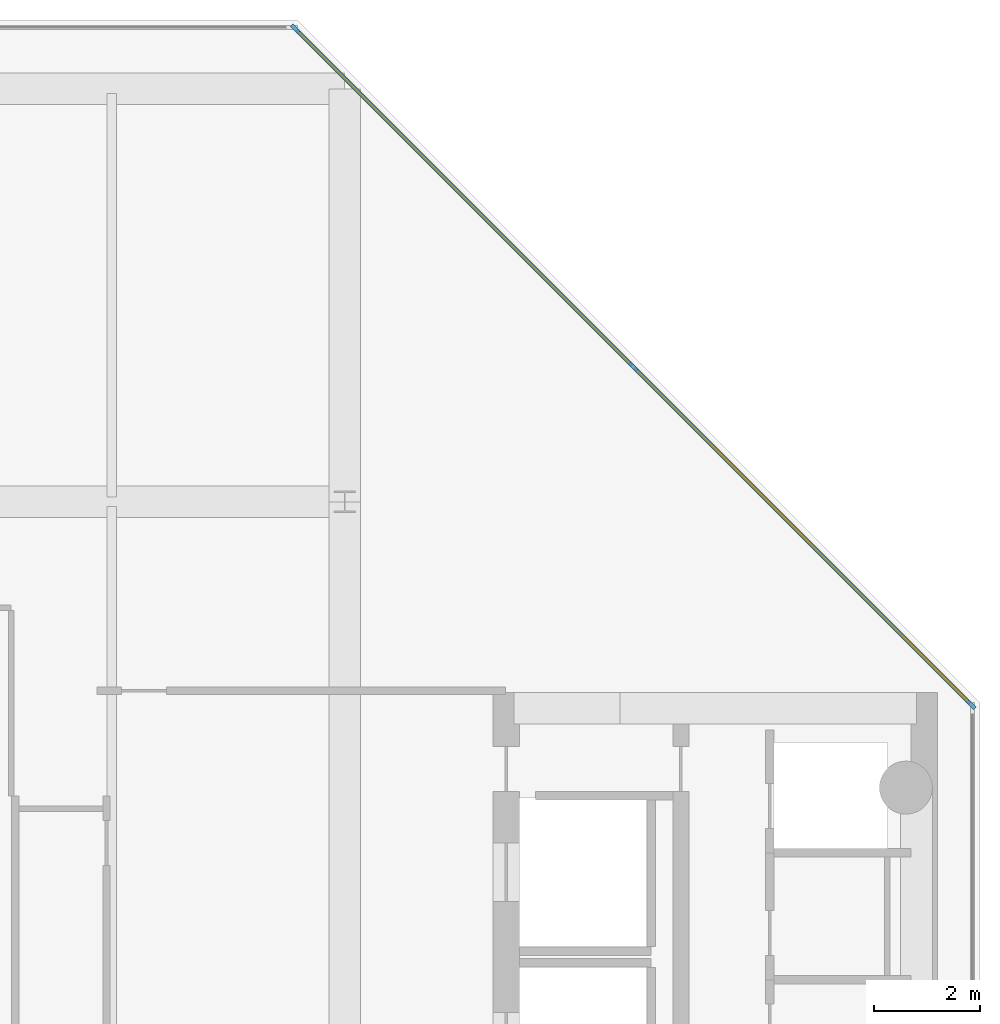
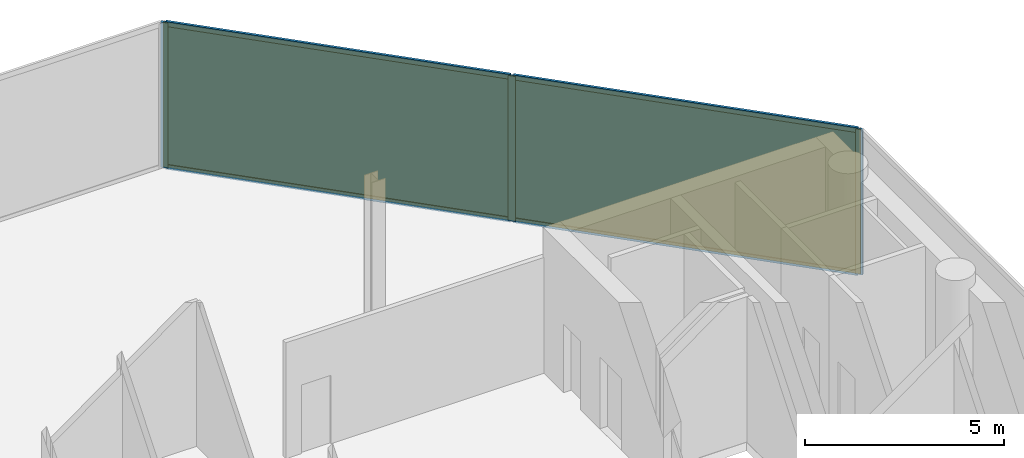
# One storey, part 10 of 14: 7 members, 2 plates, 1 curtain wall.
"""IFC4 building model written with IfcOpenShell, lengths in metres."""

from ifc_helpers import new_model, si_unit, direction, frame, frame_2d, origin, origin_2d, place, context, subcontext, project, spatial, rectangle, extrude, material, layer, layer_set, material_profile, profile_set, type_object, element, aggregate, save


model = new_model("IFC4")

# Units and contexts
model_context = context("Model", 3, precision=1e-05, world=origin(), true_north=direction((0.0, 1.0)))
body_context = subcontext(model_context, "Body", "Model", "MODEL_VIEW")
ifc_project = project(units=[si_unit("LENGTHUNIT", "METRE"), si_unit("AREAUNIT", "SQUARE_METRE"), si_unit("VOLUMEUNIT", "CUBIC_METRE"), si_unit("PLANEANGLEUNIT", "RADIAN"), si_unit("MASSUNIT", "GRAM", prefix="KILO")], contexts=[model_context])

# Member
ifc_material_1 = material(Name="Anodised Bronze Aluminium 6063-T6", Category="aluminium")
ifc_material_profile_1 = material_profile(ifc_material_1, rectangle(XDim=0.070068359375, YDim=0.18994140625, at=origin_2d()))
ifc_profile_set_1 = profile_set([ifc_material_profile_1], Name="Anodised Bronze Aluminium 6063-T6")
member_type_1 = type_object("IfcMemberType", Name="CW-SLC Mullion 70x190", PredefinedType="MULLION", material=ifc_profile_set_1)
site_placement = place(None, origin())
building_placement = place(site_placement, origin())
storey_placement = place(building_placement, frame((0.0, 0.0, 320.39990234375)))
member_1_placement = place(storey_placement, frame((8.266845703125, 19.7353515625, 0.0), z_axis=(0.0, 0.0, 1.0), x_axis=(0.707106781187, 0.707106781187, 0.0)))
member_1 = element("IfcMember", 1, at=member_1_placement, type_object=member_type_1, Name="CW-SLC mullion 1", PredefinedType="MULLION", context=body_context, shape_type="SweptSolid", body=[
    extrude(rectangle(XDim=0.070068359375, YDim=0.18994140625, at=origin_2d()), origin(), (0.0, 0.0, 1.0), 4.4501953125),
])

member_2_placement = place(storey_placement, frame((14.65087890625, 13.35107421875, 0.0), z_axis=(0.0, 0.0, 1.0), x_axis=(0.707106781187, 0.707106781187, 0.0)))
member_2 = element("IfcMember", 2, at=member_2_placement, type_object=member_type_1, Name="CW-SLC mullion 2", PredefinedType="MULLION", context=body_context, shape_type="SweptSolid", body=[
    extrude(rectangle(XDim=0.070068359375, YDim=0.18994140625, at=origin_2d()), origin(), (0.0, 0.0, 1.0), 4.4501953125),
])

member_3_placement = place(storey_placement, frame((21.03515625, 6.966796875, 0.0), z_axis=(0.0, 0.0, 1.0), x_axis=(0.707106781187, 0.707106781187, 0.0)))
member_3 = element("IfcMember", 3, at=member_3_placement, type_object=member_type_1, Name="CW-SLC mullion 3", PredefinedType="MULLION", context=body_context, shape_type="SweptSolid", body=[
    extrude(rectangle(XDim=0.070068359375, YDim=0.18994140625, at=origin_2d()), origin(), (0.0, 0.0, 1.0), 4.4501953125),
])

ifc_material_2 = material(Name="Anodised Bronze Aluminium 6063-T6", Category="aluminium")
ifc_material_profile_2 = material_profile(ifc_material_2, rectangle(XDim=0.070068359375, YDim=0.14990234375, at=origin_2d()))
ifc_profile_set_2 = profile_set([ifc_material_profile_2], Name="Anodised Bronze Aluminium 6063-T6")
member_type_2 = type_object("IfcMemberType", Name="CW-SLC Transom 70x150", PredefinedType="USERDEFINED", material=ifc_profile_set_2)
member_4_placement = place(storey_placement, frame((8.29150390625, 19.71044921875, 0.03515625), z_axis=(0.707106781187, -0.707106781187, 0.0), x_axis=(0.707106781187, 0.707106781187, 0.0)))
member_4 = element("IfcMember", 4, at=member_4_placement, type_object=member_type_2, Name="CW-SLC transom 1.1", ObjectType="TRANSOM", PredefinedType="USERDEFINED", context=body_context, shape_type="SweptSolid", body=[
    extrude(rectangle(XDim=0.070068359375, YDim=0.14990234375, at=origin_2d()), origin(), (0.0, 0.0, 1.0), 8.958740234375),
])

member_5_placement = place(storey_placement, frame((8.29150390625, 19.71044921875, 4.4150390625), z_axis=(0.707106781187, -0.707106781187, 0.0), x_axis=(0.707106781187, 0.707106781187, 0.0)))
member_5 = element("IfcMember", 5, at=member_5_placement, type_object=member_type_2, Name="CW-SLC transom 1.2", ObjectType="TRANSOM", PredefinedType="USERDEFINED", context=body_context, shape_type="SweptSolid", body=[
    extrude(rectangle(XDim=0.070068359375, YDim=0.14990234375, at=origin_2d()), origin(), (0.0, 0.0, 1.0), 8.958740234375),
])

member_6_placement = place(storey_placement, frame((14.67578125, 13.326171875, 0.03515625), z_axis=(0.707106781187, -0.707106781187, 0.0), x_axis=(0.707106781187, 0.707106781187, 0.0)))
member_6 = element("IfcMember", 6, at=member_6_placement, type_object=member_type_2, Name="CW-SLC transom 2.1", ObjectType="TRANSOM", PredefinedType="USERDEFINED", context=body_context, shape_type="SweptSolid", body=[
    extrude(rectangle(XDim=0.070068359375, YDim=0.14990234375, at=origin_2d()), origin(), (0.0, 0.0, 1.0), 8.958740234375),
])

member_7_placement = place(storey_placement, frame((14.67578125, 13.326171875, 4.4150390625), z_axis=(0.707106781187, -0.707106781187, 0.0), x_axis=(0.707106781187, 0.707106781187, 0.0)))
member_7 = element("IfcMember", 7, at=member_7_placement, type_object=member_type_2, Name="CW-SLC transom 2.2", ObjectType="TRANSOM", PredefinedType="USERDEFINED", context=body_context, shape_type="SweptSolid", body=[
    extrude(rectangle(XDim=0.070068359375, YDim=0.14990234375, at=origin_2d()), origin(), (0.0, 0.0, 1.0), 8.958740234375),
])

# Plate
ifc_material_3 = material(Name="Low-E Solar Control Laminated Glass", Category="glass")
ifc_layer_1 = layer(ifc_material_3, 0.033935546875, Name="Low-E Solar Control Laminated Glass")
ifc_layer_set_1 = layer_set([ifc_layer_1], Name="Low-E Solar Control Laminated Glass")
plate_type = type_object("IfcPlateType", Name="CW-SLC Low-E Double Glazed Panel 34mm", PredefinedType="CURTAIN_PANEL", material=ifc_layer_set_1)
plate_1_placement = place(storey_placement, frame((11.458984375, 16.543212890625, 0.070068359375), z_axis=(0.0, 0.0, 1.0), x_axis=(0.707106781187, -0.707106781187, 0.0)))
plate_1 = element("IfcPlate", 8, at=plate_1_placement, type_object=plate_type, Name="CW-SLC panel 1.1", PredefinedType="CURTAIN_PANEL", context=body_context, shape_type="SweptSolid", body=[
    extrude(rectangle(XDim=8.958740234375, YDim=0.033935546875, at=origin_2d()), origin(), (0.0, 0.0, 1.0), 4.31005859375),
])

plate_2_placement = place(storey_placement, frame((17.843017578125, 10.158935546875, 0.070068359375), z_axis=(0.0, 0.0, 1.0), x_axis=(0.707106781187, -0.707106781187, 0.0)))
plate_2 = element("IfcPlate", 9, at=plate_2_placement, type_object=plate_type, Name="CW-SLC panel 2.1", PredefinedType="CURTAIN_PANEL", context=body_context, shape_type="SweptSolid", body=[
    extrude(rectangle(XDim=8.958740234375, YDim=0.033935546875, at=origin_2d()), origin(), (0.0, 0.0, 1.0), 4.31005859375),
])

# Site, building, storey
site = spatial("IfcSite", under=ifc_project, at=site_placement, CompositionType="ELEMENT")
building = spatial("IfcBuilding", under=site, at=building_placement, Name="Khairoan Windgate Tower", CompositionType="ELEMENT")
storey = spatial("IfcBuildingStorey", under=building, at=storey_placement, Name="L77", CompositionType="ELEMENT", Elevation=320.39990234375)

# Curtain wall
ifc_material_4 = material(Name="Anodised Bronze Aluminium 6063-T6", Category="aluminium")
ifc_layer_2 = layer(ifc_material_4, 0.18994140625, Name="Anodised Bronze Aluminium 6063-T6")
ifc_layer_set_2 = layer_set([ifc_layer_2], Name="Anodised Bronze Aluminium 6063-T6")
curtain_wall_type = type_object("IfcCurtainWallType", Name="Diagonal Corner-Slice Facet Curtain Wall CW-SLC", PredefinedType="NOTDEFINED", material=ifc_layer_set_2)
curtain_wall_placement = place(storey_placement, frame((8.241943359375, 19.760009765625, 0.0), z_axis=(0.0, 0.0, 1.0), x_axis=(0.707106781187, -0.707106781187, 0.0)))
curtain_wall = element("IfcCurtainWall", 10, at=curtain_wall_placement, inside=storey, type_object=curtain_wall_type, Name="L77 Crystal Slice Curtain Wall 7", PredefinedType="NOTDEFINED", context=body_context, shape_type="SweptSolid", body=[
    extrude(rectangle(XDim=18.12744140625, YDim=0.010009765625, at=frame_2d((9.063720703125, 0.0))), origin(), (0.0, 0.0, 1.0), 4.4501953125),
])

aggregate(curtain_wall, [member_1, member_2, member_3, member_4, member_5, plate_1, member_6, member_7, plate_2])

save(model, "model.ifc")
